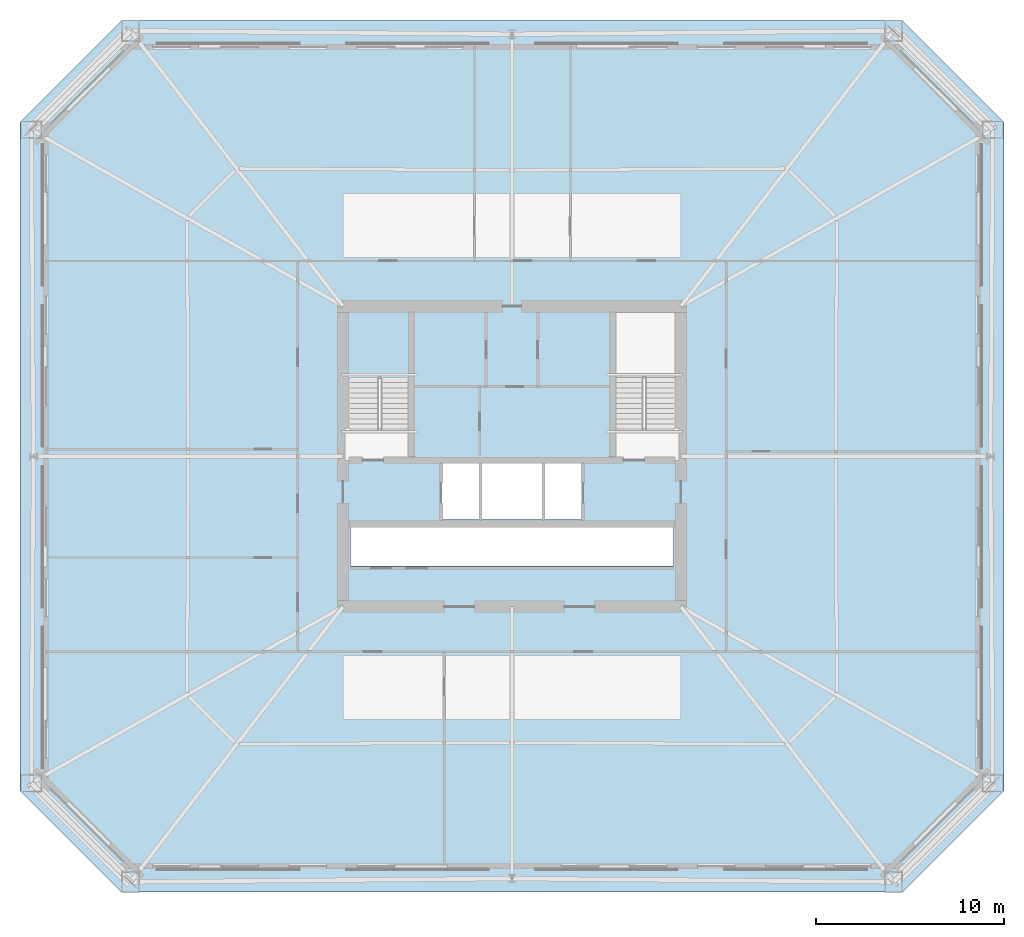
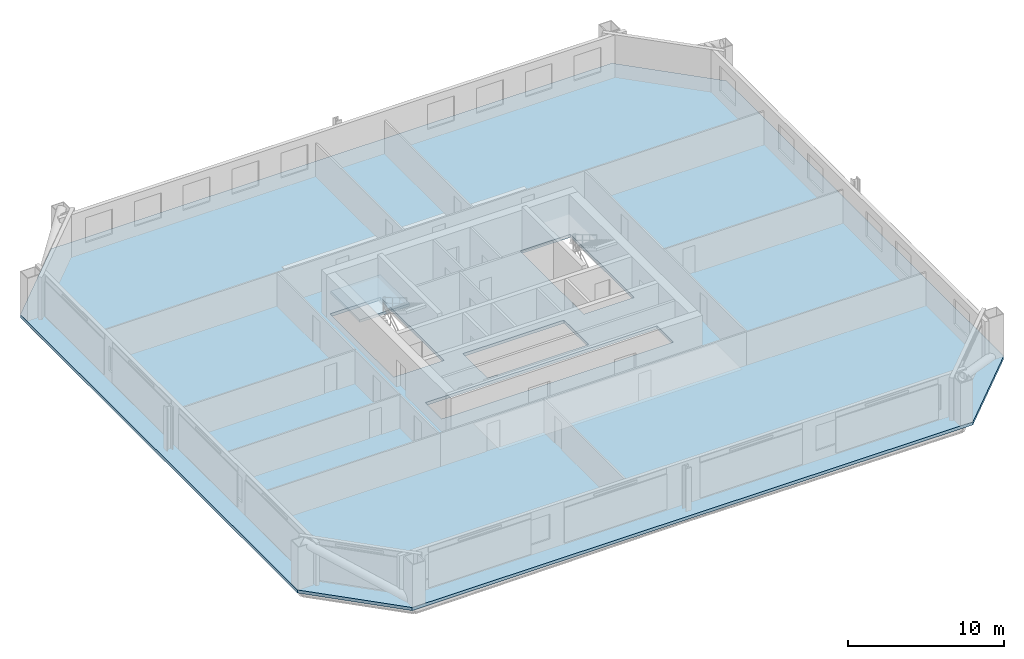
# One storey, part 3 of 11: 2 slabs, 1 element without a shape of its own.
"""IFC4 building model written with IfcOpenShell, lengths in metres."""

from ifc_helpers import new_model, si_unit, direction, frame, origin, place, context, subcontext, project, spatial, polyline, outline, extrude, material, layer, layer_set, type_object, element, aggregate, save


model = new_model("IFC4")

# Units and contexts
model_context = context("Model", 3, precision=1e-05, world=origin(), true_north=direction((0.0, 1.0)))
body_context = subcontext(model_context, "Body", "Model", "MODEL_VIEW")
ifc_project = project(units=[si_unit("LENGTHUNIT", "METRE"), si_unit("AREAUNIT", "SQUARE_METRE"), si_unit("VOLUMEUNIT", "CUBIC_METRE"), si_unit("PLANEANGLEUNIT", "RADIAN"), si_unit("MASSUNIT", "GRAM", prefix="KILO")], contexts=[model_context])

# Site, building, storey
site_placement = place(None, origin())
site = spatial("IfcSite", under=ifc_project, at=site_placement, CompositionType="ELEMENT")
building_placement = place(site_placement, origin())
building = spatial("IfcBuilding", under=site, at=building_placement, Name="Caelvoria Tower", CompositionType="ELEMENT")
storey_placement = place(building_placement, frame((0.0, 0.0, 74.800048828125)))
storey = spatial("IfcBuildingStorey", under=building, at=storey_placement, Name="L19", CompositionType="ELEMENT", Elevation=74.800048828125)

# Stair, slab
ifc_material = material(Name="Concrete C40/50", Category="concrete")
stair_type = type_object("IfcStairType", Name="Core Smokeproof Dogleg Stair Concrete C40/50", PredefinedType="HALF_TURN_STAIR", material=ifc_material)
stair_placement = place(storey_placement, origin())
stair = element("IfcStair", 1, at=stair_placement, inside=storey, type_object=stair_type, Name="ST-01 Smokeproof Exit Stair L19", PredefinedType="HALF_TURN_STAIR")
ifc_layer_1 = layer(ifc_material, 0.199951171875, Name="Concrete C40/50")
ifc_layer_set_1 = layer_set([ifc_layer_1], Name="Stair Half and Floor Landing Slab 200 Concrete C40/50 - Concrete C40/50")
slab_type_1 = type_object("IfcSlabType", Name="Stair Half and Floor Landing Slab 200 Concrete C40/50", PredefinedType="LANDING", material=ifc_layer_set_1)
slab_1_placement = place(storey_placement, frame((0.0, 0.0, 1.599853515625)))
slab_1 = element("IfcSlab", 2, at=slab_1_placement, type_object=slab_type_1, Name="ST-01 landing 2", PredefinedType="LANDING", context=body_context, shape_type="SweptSolid", body=[
    extrude(outline(polyline([(37.10009765625, 36.14990234375), (40.800048828125, 36.14990234375), (40.800048828125, 39.89990234375), (37.10009765625, 39.89990234375), (37.10009765625, 36.14990234375)])), origin(), (0.0, 0.0, 1.0), 0.2001953125),
])
aggregate(stair, [slab_1])

# Slab
ifc_layer_2 = layer(ifc_material, 0.239990234375, Name="Concrete C40/50")
ifc_layer_set_2 = layer_set([ifc_layer_2], Name="Tower Composite Office Slab 240 - Concrete C40/50")
slab_type_2 = type_object("IfcSlabType", Name="Tower Composite Office Slab 240", PredefinedType="FLOOR", material=ifc_layer_set_2)
slab_2_placement = place(storey_placement, frame((0.0, 0.0, -0.239990234375)))
element("IfcSlab", 3, at=slab_2_placement, inside=storey, type_object=slab_type_2, Name="Level L19 Structural Floor Slab", PredefinedType="FLOOR", context=body_context, shape_type="SweptSolid", body=[
    extrude(outline(polyline([(25.199951171875, 8.800048828125), (66.800048828125, 8.800048828125), (72.199951171875, 14.199951171875), (72.199951171875, 49.800048828125), (66.800048828125, 55.199951171875), (25.199951171875, 55.199951171875), (19.800048828125, 49.800048828125), (19.800048828125, 14.199951171875), (25.199951171875, 8.800048828125)]), holes=[polyline([(37.080078125, 31.75), (40.820068359375, 31.75), (40.820068359375, 39.919921875), (37.080078125, 39.919921875), (37.080078125, 31.75)]), polyline([(51.179931640625, 31.75), (54.919921875, 31.75), (54.919921875, 39.919921875), (51.179931640625, 39.919921875), (51.179931640625, 31.75)]), polyline([(42.25, 28.64990234375), (49.75, 28.64990234375), (49.75, 31.800048828125), (42.25, 31.800048828125), (42.25, 28.64990234375)]), polyline([(37.39990234375, 26.14990234375), (54.60009765625, 26.14990234375), (54.60009765625, 28.25), (37.39990234375, 28.25), (37.39990234375, 26.14990234375)])]), origin(), (0.0, 0.0, 1.0), 0.239990234375),
])

save(model, "model.ifc")
